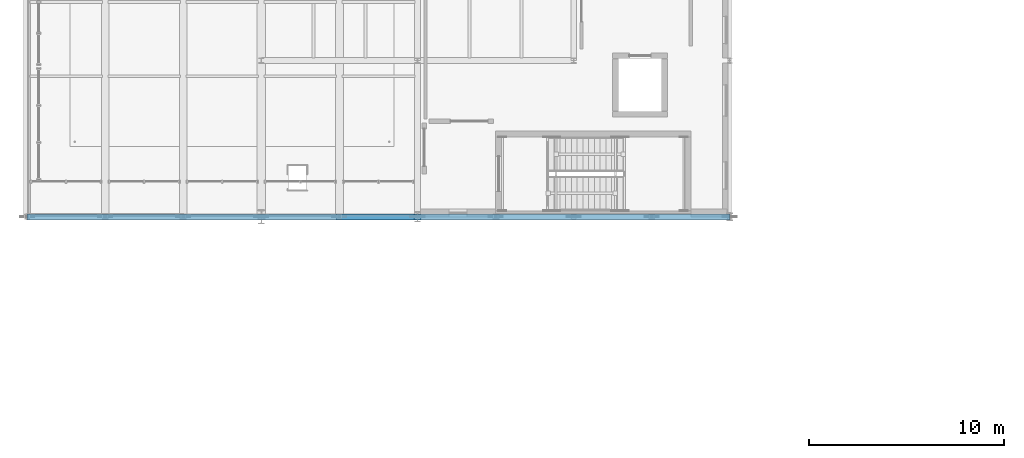
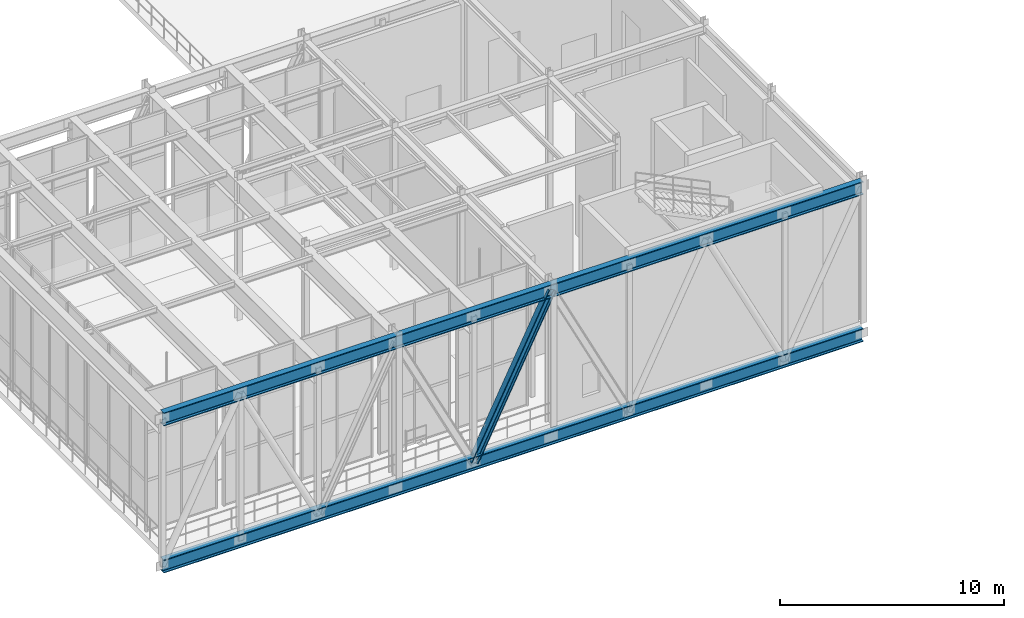
# One storey, part 29 of 138: 3 members.
"""IFC4 building model written with IfcOpenShell, lengths in metres."""

from ifc_helpers import new_model, si_unit, direction, frame, origin, origin_2d, place, context, subcontext, project, spatial, i_section, extrude, material, material_profile, profile_set, type_object, element, save


model = new_model("IFC4")

# Units and contexts
model_context = context("Model", 3, precision=1e-05, world=origin(), true_north=direction((0.0, 1.0)))
body_context = subcontext(model_context, "Body", "Model", "MODEL_VIEW")
ifc_project = project(units=[si_unit("LENGTHUNIT", "METRE"), si_unit("AREAUNIT", "SQUARE_METRE"), si_unit("VOLUMEUNIT", "CUBIC_METRE"), si_unit("PLANEANGLEUNIT", "RADIAN"), si_unit("MASSUNIT", "GRAM", prefix="KILO")], contexts=[model_context])

# Site, building, storey
site_placement = place(None, origin())
site = spatial("IfcSite", under=ifc_project, at=site_placement, CompositionType="ELEMENT")
building_placement = place(site_placement, origin())
building = spatial("IfcBuilding", under=site, at=building_placement, Name="Sundkrona Museum", CompositionType="ELEMENT")
storey_placement = place(building_placement, frame((0.0, 0.0, 9.60009765625)))
storey = spatial("IfcBuildingStorey", under=building, at=storey_placement, Name="L02", CompositionType="ELEMENT", Elevation=9.60009765625)

# Members
ifc_material = material(Name="Steel S460M", Category="steel")
ifc_material_profile_1 = material_profile(ifc_material, i_section(OverallWidth=0.30810546875, OverallDepth=0.39501953125, WebThickness=0.02099609375, FlangeThickness=0.0400390625, FilletRadius=0.027099609375, at=origin_2d()), Name="HEM 360")
ifc_profile_set_1 = profile_set([ifc_material_profile_1], Name="Steel S460M")
member_type_1 = type_object("IfcMemberType", Name="ST-HEM360", PredefinedType="STRUT", material=ifc_profile_set_1)
member_placement = place(storey_placement, frame((20.0, 32.0, -0.68017578125), z_axis=(0.4472135955, 0.0, 0.894427191), x_axis=(0.0, 1.0, 0.0)))
element("IfcMember", 1, at=member_placement, inside=storey, type_object=member_type_1, Name="TRS-1 Cantilever Transfer Truss S Web Diagonal 5", PredefinedType="STRUT", context=body_context, shape_type="SweptSolid", body=[
    extrude(i_section(OverallWidth=0.30810546875, OverallDepth=0.39501953125, WebThickness=0.02099609375, FlangeThickness=0.0400390625, FilletRadius=0.027099609375, at=origin_2d()), origin(), (0.0, 0.0, 1.0), 8.9443359375),
])
ifc_material_profile_2 = material_profile(ifc_material, i_section(OverallWidth=0.303955078125, OverallDepth=0.716064453125, WebThickness=0.02099609375, FlangeThickness=0.0400390625, FilletRadius=0.027099609375, at=origin_2d()), Name="HEM 700")
ifc_profile_set_2 = profile_set([ifc_material_profile_2], Name="Steel S460M")
member_type_2 = type_object("IfcMemberType", Name="TC-HEM700", PredefinedType="CHORD", material=ifc_profile_set_2)
for number, where, z_axis, x_axis, name in (
    (2, (4.0, 32.0, -0.68017578125), (1.0, 0.0, 0.0), (0.0, 1.0, 0.0), "TRS-1 Cantilever Transfer Truss S Continuous Bottom Chord"),
    (3, (4.0, 32.0, 7.31982421875), (1.0, 0.0, 0.0), (0.0, 1.0, 0.0), "TRS-1 Cantilever Transfer Truss S Continuous Top Chord"),
):
    element("IfcMember", number, at=place(storey_placement, frame(where, z_axis=z_axis, x_axis=x_axis)), inside=storey, type_object=member_type_2, Name=name, PredefinedType="CHORD", context=body_context, shape_type="SweptSolid", body=[
        extrude(i_section(OverallWidth=0.303955078125, OverallDepth=0.716064453125, WebThickness=0.02099609375, FlangeThickness=0.0400390625, FilletRadius=0.027099609375, at=origin_2d()), origin(), (0.0, 0.0, 1.0), 36.0),
    ])

save(model, "model.ifc")
